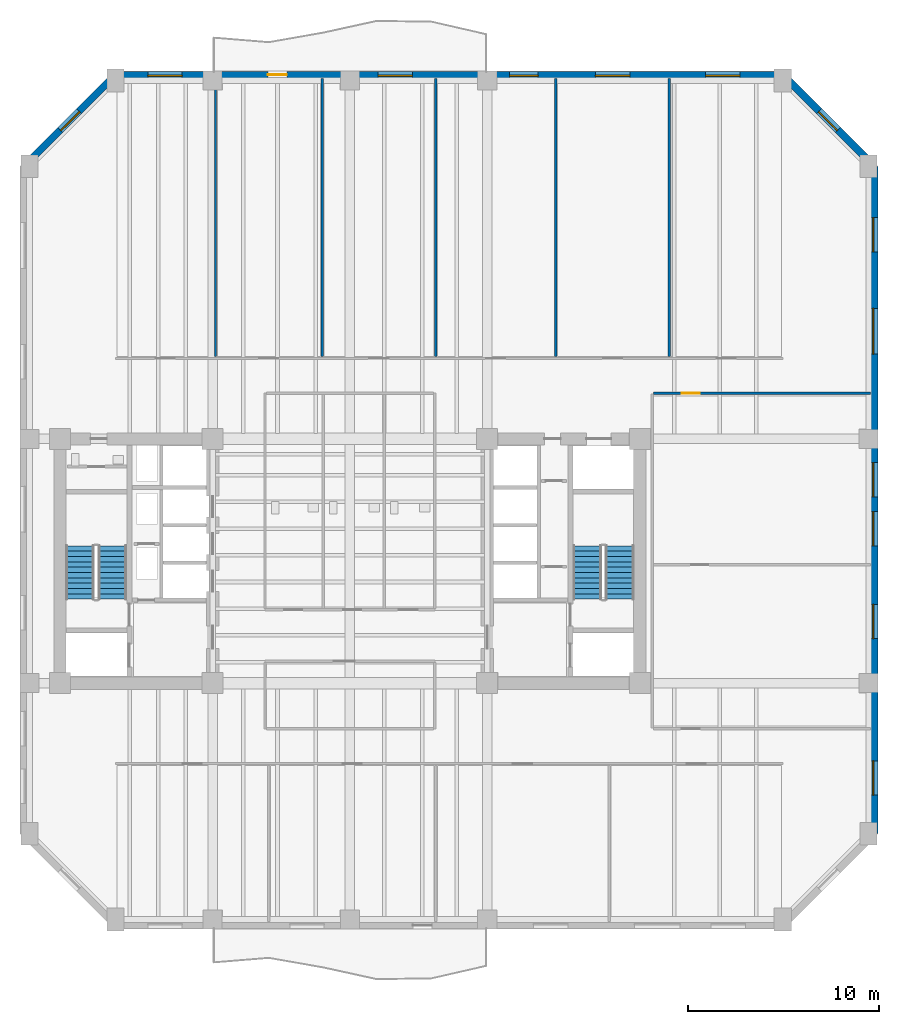
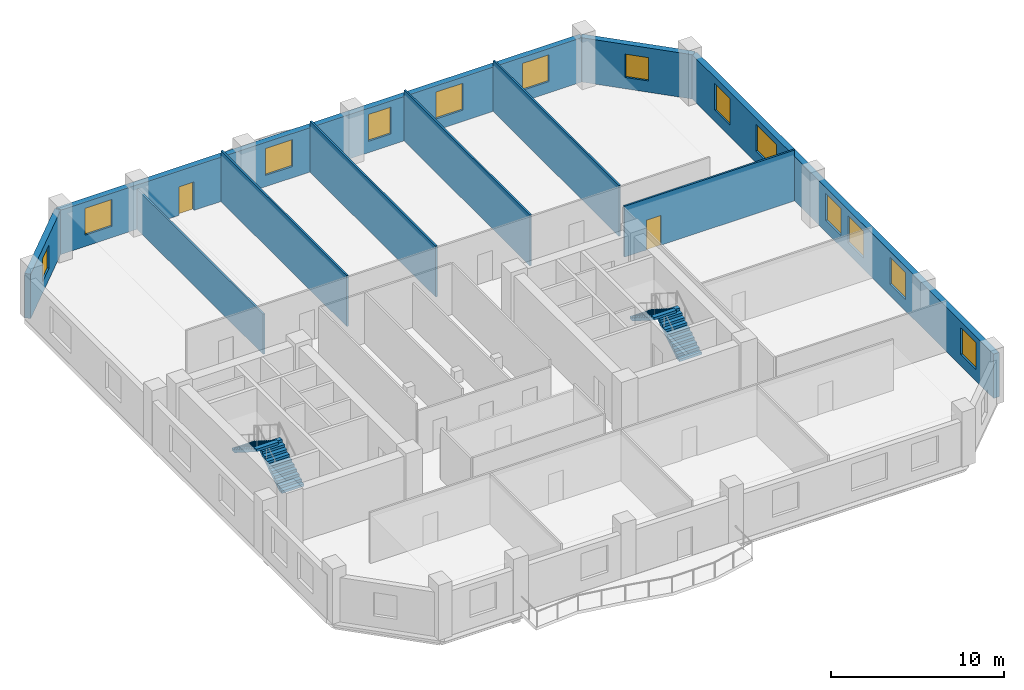
# One storey, part 5 of 8: 13 windows, 10 walls, 4 stair flights, 2 doors, 15 openings, 2 elements without a shape of their own.
"""IFC4 building model written with IfcOpenShell, lengths in metres."""

from ifc_helpers import new_model, si_unit, direction, frame, frame_2d, origin, place, context, subcontext, project, spatial, polyline, rectangle, outline, extrude, material, layer, layer_set, type_object, element, fill, aggregate, save


model = new_model("IFC4")

# Units and contexts
model_context = context("Model", 3, precision=1e-05, world=origin(), true_north=direction((0.0, 1.0)))
body_context = subcontext(model_context, "Body", "Model", "MODEL_VIEW")
ifc_project = project(units=[si_unit("LENGTHUNIT", "METRE"), si_unit("AREAUNIT", "SQUARE_METRE"), si_unit("VOLUMEUNIT", "CUBIC_METRE"), si_unit("PLANEANGLEUNIT", "RADIAN"), si_unit("MASSUNIT", "GRAM", prefix="KILO")], contexts=[model_context])

# Site, building, storey
site_placement = place(None, origin())
site = spatial("IfcSite", under=ifc_project, at=site_placement, CompositionType="ELEMENT")
building_placement = place(site_placement, origin())
building = spatial("IfcBuilding", under=site, at=building_placement, Name="Kranthara Brick Stack", CompositionType="ELEMENT")
storey_placement = place(building_placement, frame((0.0, 0.0, 82.800048828125)))
storey = spatial("IfcBuildingStorey", under=building, at=storey_placement, Name="L20", CompositionType="ELEMENT", Elevation=82.800048828125)

# Wall, opening, window
ifc_material_1 = material(Name="Kiln-fired clay brick masonry M15", Category="masonry")
ifc_layer_1 = layer(ifc_material_1, 0.3798828125)
ifc_layer_set_1 = layer_set([ifc_layer_1], Name="Kiln-fired clay brick masonry M15")
wall_type_1 = type_object("IfcWallType", Name="WL-BRK-PIER-380", PredefinedType="STANDARD", material=ifc_layer_set_1)
wall_1_placement = place(storey_placement, frame((10.909912109375, 47.89990234375, 0.0), z_axis=(0.0, 0.0, 1.0), x_axis=(0.707106781187, 0.707106781187, 0.0)))
wall_1 = element("IfcWall", 1, at=wall_1_placement, inside=storey, type_object=wall_type_1, Name="L20 Exterior Brick Facade Wall NW 1", PredefinedType="STANDARD", context=body_context, shape_type="SweptSolid", body=[
    extrude(rectangle(XDim=6.774169921875, YDim=0.3798828125, at=frame_2d((3.38720703125, 0.0))), origin(), (0.0, 0.0, 1.0), 3.135009765625),
])
opening_1_placement = place(wall_1_placement, frame((2.68701171875, 0.0, 0.800048828125)))
opening_1 = element("IfcOpeningElement", 2, at=opening_1_placement, cuts=wall_1, Name="Opening WN10", PredefinedType="OPENING", context=body_context, shape_type="SweptSolid", body=[
    extrude(rectangle(XDim=1.39990234375, YDim=1.64990234375, at=frame_2d((0.699951171875, 0.824951171875))), frame((0.0, 0.199951171875, 0.0), z_axis=(0.0, -1.0, 0.0), x_axis=(1.0, 0.0, 0.0)), (0.0, 0.0, 1.0), 0.39990234375),
])
ifc_material_2 = material(Name="Double-glazed low-E solar control glass", Category="glass")
window_type_1 = type_object("IfcWindowType", Name="WN-CHM-1400x1750", PartitioningType="SINGLE_PANEL", PredefinedType="WINDOW", material=ifc_material_2)
window_1_placement = place(opening_1_placement, origin())
window_1 = element("IfcWindow", 3, at=window_1_placement, inside=storey, type_object=window_type_1, Name="L20 NW Chamfer Corner Window", OverallHeight=1.64990234375, OverallWidth=1.39990234375, PartitioningType="SINGLE_PANEL", PredefinedType="WINDOW", context=body_context, shape_type="SweptSolid", body=[
    extrude(rectangle(XDim=1.39990234375, YDim=1.64990234375, at=frame_2d((0.699951171875, 0.824951171875))), frame((0.0, -0.010009765625, 0.0), z_axis=(0.0, -1.0, 0.0), x_axis=(1.0, 0.0, 0.0)), (0.0, 0.0, 1.0), 0.06005859375),
])
fill(opening_1, window_1)

# Wall, openings, door, windows
wall_2_placement = place(storey_placement, frame((15.699951171875, 52.68994140625, 0.0), z_axis=(0.0, 0.0, 1.0), x_axis=(1.0, 0.0, 0.0)))
wall_2 = element("IfcWall", 4, at=wall_2_placement, inside=storey, type_object=wall_type_1, Name="L20 Exterior Brick Facade Wall NORTH 1", PredefinedType="STANDARD", context=body_context, shape_type="SweptSolid", body=[
    extrude(rectangle(XDim=35.0, YDim=0.3798828125, at=frame_2d((17.5, 0.0))), origin(), (0.0, 0.0, 1.0), 3.135009765625),
])
opening_2_placement = place(wall_2_placement, frame((8.0, 0.0, 0.0)))
opening_2 = element("IfcOpeningElement", 5, at=opening_2_placement, cuts=wall_2, Name="Opening D03", PredefinedType="OPENING", context=body_context, shape_type="SweptSolid", body=[
    extrude(rectangle(XDim=1.0, YDim=2.02001953125, at=frame_2d((0.5, 1.010009765625))), frame((0.0, 0.199951171875, 0.0), z_axis=(0.0, -1.0, 0.0), x_axis=(1.0, 0.0, 0.0)), (0.0, 0.0, 1.0), 0.39990234375),
])
opening_3_placement = place(wall_2_placement, frame((1.699951171875, 0.0, 0.800048828125)))
opening_3 = element("IfcOpeningElement", 6, at=opening_3_placement, cuts=wall_2, Name="Opening WN01", PredefinedType="OPENING", context=body_context, shape_type="SweptSolid", body=[
    extrude(rectangle(XDim=1.800048828125, YDim=1.89990234375, at=frame_2d((0.89990234375, 0.949951171875))), frame((0.0, 0.199951171875, 0.0), z_axis=(0.0, -1.0, 0.0), x_axis=(1.0, 0.0, 0.0)), (0.0, 0.0, 1.0), 0.39990234375),
])
opening_4_placement = place(wall_2_placement, frame((13.77490234375, 0.0, 0.800048828125)))
opening_4 = element("IfcOpeningElement", 7, at=opening_4_placement, cuts=wall_2, Name="Opening WN01", PredefinedType="OPENING", context=body_context, shape_type="SweptSolid", body=[
    extrude(rectangle(XDim=1.800048828125, YDim=1.89990234375, at=frame_2d((0.89990234375, 0.949951171875))), frame((0.0, 0.199951171875, 0.0), z_axis=(0.0, -1.0, 0.0), x_axis=(1.0, 0.0, 0.0)), (0.0, 0.0, 1.0), 0.39990234375),
])
opening_5_placement = place(wall_2_placement, frame((20.675048828125, 0.0, 0.800048828125)))
opening_5 = element("IfcOpeningElement", 8, at=opening_5_placement, cuts=wall_2, Name="Opening WN03", PredefinedType="OPENING", context=body_context, shape_type="SweptSolid", body=[
    extrude(rectangle(XDim=1.5, YDim=1.89990234375, at=frame_2d((0.75, 0.949951171875))), frame((0.0, 0.199951171875, 0.0), z_axis=(0.0, -1.0, 0.0), x_axis=(1.0, 0.0, 0.0)), (0.0, 0.0, 1.0), 0.39990234375),
])
opening_6_placement = place(wall_2_placement, frame((25.175048828125, 0.0, 0.800048828125)))
opening_6 = element("IfcOpeningElement", 9, at=opening_6_placement, cuts=wall_2, Name="Opening WN01", PredefinedType="OPENING", context=body_context, shape_type="SweptSolid", body=[
    extrude(rectangle(XDim=1.800048828125, YDim=1.89990234375, at=frame_2d((0.89990234375, 0.949951171875))), frame((0.0, 0.199951171875, 0.0), z_axis=(0.0, -1.0, 0.0), x_axis=(1.0, 0.0, 0.0)), (0.0, 0.0, 1.0), 0.39990234375),
])
opening_7_placement = place(wall_2_placement, frame((30.949951171875, 0.0, 0.800048828125)))
opening_7 = element("IfcOpeningElement", 10, at=opening_7_placement, cuts=wall_2, Name="Opening WN01", PredefinedType="OPENING", context=body_context, shape_type="SweptSolid", body=[
    extrude(rectangle(XDim=1.800048828125, YDim=1.89990234375, at=frame_2d((0.89990234375, 0.949951171875))), frame((0.0, 0.199951171875, 0.0), z_axis=(0.0, -1.0, 0.0), x_axis=(1.0, 0.0, 0.0)), (0.0, 0.0, 1.0), 0.39990234375),
])
ifc_material_3 = material(Name="Bronze anodised aluminium and laminated glass", Category="aluminium")
door_type_1 = type_object("IfcDoorType", Name="DR-BALC-1000", OperationType="NOTDEFINED", PredefinedType="DOOR", material=ifc_material_3)
door_1_placement = place(opening_2_placement, origin())
door_1 = element("IfcDoor", 11, at=door_1_placement, inside=storey, type_object=door_type_1, Name="L20 North Balcony Terrace Door", OperationType="SINGLE_SWING_RIGHT", OverallHeight=2.02001953125, OverallWidth=1.0, PredefinedType="DOOR", context=body_context, shape_type="SweptSolid", body=[
    extrude(rectangle(XDim=1.0, YDim=2.02001953125, at=frame_2d((0.5, 1.010009765625))), frame((0.0, 0.02490234375, 0.0), z_axis=(0.0, -1.0, 0.0), x_axis=(1.0, 0.0, 0.0)), (0.0, 0.0, 1.0), 0.050048828125),
])
fill(opening_2, door_1)
ifc_material_4 = material(Name="Double-glazed low-E solar control glass", Category="glass")
window_type_2 = type_object("IfcWindowType", Name="WN-OFF-1500x2000", PartitioningType="SINGLE_PANEL", PredefinedType="WINDOW", material=ifc_material_4)
window_2_placement = place(opening_5_placement, origin())
window_2 = element("IfcWindow", 12, at=window_2_placement, inside=storey, type_object=window_type_2, Name="L20 North Deep-Set Brick Window 03", OverallHeight=1.89990234375, OverallWidth=1.5, PartitioningType="SINGLE_PANEL", PredefinedType="WINDOW", context=body_context, shape_type="SweptSolid", body=[
    extrude(rectangle(XDim=1.5, YDim=1.89990234375, at=frame_2d((0.75, 0.949951171875))), frame((0.0, -0.010009765625, 0.0), z_axis=(0.0, -1.0, 0.0), x_axis=(1.0, 0.0, 0.0)), (0.0, 0.0, 1.0), 0.06005859375),
])
fill(opening_5, window_2)
ifc_material_5 = material(Name="Double-glazed low-E solar control glass", Category="glass")
window_type_3 = type_object("IfcWindowType", Name="WN-OFF-1800x2000", PartitioningType="SINGLE_PANEL", PredefinedType="WINDOW", material=ifc_material_5)
window_3_placement = place(opening_3_placement, origin())
window_3 = element("IfcWindow", 13, at=window_3_placement, inside=storey, type_object=window_type_3, Name="L20 North Deep-Set Brick Window 01", OverallHeight=1.89990234375, OverallWidth=1.800048828125, PartitioningType="SINGLE_PANEL", PredefinedType="WINDOW", context=body_context, shape_type="SweptSolid", body=[
    extrude(rectangle(XDim=1.800048828125, YDim=1.89990234375, at=frame_2d((0.89990234375, 0.949951171875))), frame((0.0, -0.010009765625, 0.0), z_axis=(0.0, -1.0, 0.0), x_axis=(1.0, 0.0, 0.0)), (0.0, 0.0, 1.0), 0.06005859375),
])
fill(opening_3, window_3)
window_4_placement = place(opening_4_placement, origin())
window_4 = element("IfcWindow", 14, at=window_4_placement, inside=storey, type_object=window_type_3, Name="L20 North Deep-Set Brick Window 02", OverallHeight=1.89990234375, OverallWidth=1.800048828125, PartitioningType="SINGLE_PANEL", PredefinedType="WINDOW", context=body_context, shape_type="SweptSolid", body=[
    extrude(rectangle(XDim=1.800048828125, YDim=1.89990234375, at=frame_2d((0.89990234375, 0.949951171875))), frame((0.0, -0.010009765625, 0.0), z_axis=(0.0, -1.0, 0.0), x_axis=(1.0, 0.0, 0.0)), (0.0, 0.0, 1.0), 0.06005859375),
])
fill(opening_4, window_4)
window_5_placement = place(opening_6_placement, origin())
window_5 = element("IfcWindow", 15, at=window_5_placement, inside=storey, type_object=window_type_3, Name="L20 North Deep-Set Brick Window 04", OverallHeight=1.89990234375, OverallWidth=1.800048828125, PartitioningType="SINGLE_PANEL", PredefinedType="WINDOW", context=body_context, shape_type="SweptSolid", body=[
    extrude(rectangle(XDim=1.800048828125, YDim=1.89990234375, at=frame_2d((0.89990234375, 0.949951171875))), frame((0.0, -0.010009765625, 0.0), z_axis=(0.0, -1.0, 0.0), x_axis=(1.0, 0.0, 0.0)), (0.0, 0.0, 1.0), 0.06005859375),
])
fill(opening_6, window_5)
window_6_placement = place(opening_7_placement, origin())
window_6 = element("IfcWindow", 16, at=window_6_placement, inside=storey, type_object=window_type_3, Name="L20 North Deep-Set Brick Window 05", OverallHeight=1.89990234375, OverallWidth=1.800048828125, PartitioningType="SINGLE_PANEL", PredefinedType="WINDOW", context=body_context, shape_type="SweptSolid", body=[
    extrude(rectangle(XDim=1.800048828125, YDim=1.89990234375, at=frame_2d((0.89990234375, 0.949951171875))), frame((0.0, -0.010009765625, 0.0), z_axis=(0.0, -1.0, 0.0), x_axis=(1.0, 0.0, 0.0)), (0.0, 0.0, 1.0), 0.06005859375),
])
fill(opening_7, window_6)

# Wall, opening, window
wall_3_placement = place(storey_placement, frame((50.699951171875, 52.68994140625, 0.0), z_axis=(0.0, 0.0, 1.0), x_axis=(0.707106781187, -0.707106781187, 0.0)))
wall_3 = element("IfcWall", 17, at=wall_3_placement, inside=storey, type_object=wall_type_1, Name="L20 Exterior Brick Facade Wall NE 1", PredefinedType="STANDARD", context=body_context, shape_type="SweptSolid", body=[
    extrude(rectangle(XDim=6.774169921875, YDim=0.3798828125, at=frame_2d((3.38720703125, 0.0))), origin(), (0.0, 0.0, 1.0), 3.135009765625),
])
opening_8_placement = place(wall_3_placement, frame((2.68701171875, 0.0, 0.800048828125)))
opening_8 = element("IfcOpeningElement", 18, at=opening_8_placement, cuts=wall_3, Name="Opening WN10", PredefinedType="OPENING", context=body_context, shape_type="SweptSolid", body=[
    extrude(rectangle(XDim=1.39990234375, YDim=1.64990234375, at=frame_2d((0.699951171875, 0.824951171875))), frame((0.0, 0.199951171875, 0.0), z_axis=(0.0, -1.0, 0.0), x_axis=(1.0, 0.0, 0.0)), (0.0, 0.0, 1.0), 0.39990234375),
])
window_7_placement = place(opening_8_placement, origin())
window_7 = element("IfcWindow", 19, at=window_7_placement, inside=storey, type_object=window_type_1, Name="L20 NE Chamfer Corner Window", OverallHeight=1.64990234375, OverallWidth=1.39990234375, PartitioningType="SINGLE_PANEL", PredefinedType="WINDOW", context=body_context, shape_type="SweptSolid", body=[
    extrude(rectangle(XDim=1.39990234375, YDim=1.64990234375, at=frame_2d((0.699951171875, 0.824951171875))), frame((0.0, -0.010009765625, 0.0), z_axis=(0.0, -1.0, 0.0), x_axis=(1.0, 0.0, 0.0)), (0.0, 0.0, 1.0), 0.06005859375),
])
fill(opening_8, window_7)

# Wall, openings, windows
wall_4_placement = place(storey_placement, frame((55.489990234375, 47.89990234375, 0.0), z_axis=(0.0, 0.0, 1.0), x_axis=(0.0, -1.0, 0.0)))
wall_4 = element("IfcWall", 20, at=wall_4_placement, inside=storey, type_object=wall_type_1, Name="L20 Exterior Brick Facade Wall EAST 1", PredefinedType="STANDARD", context=body_context, shape_type="SweptSolid", body=[
    extrude(rectangle(XDim=35.0, YDim=0.3798828125, at=frame_2d((17.5, 0.0))), origin(), (0.0, 0.0, 1.0), 3.135009765625),
])
opening_9_placement = place(wall_4_placement, frame((2.693115234375, 0.0, 0.800048828125)))
opening_9 = element("IfcOpeningElement", 21, at=opening_9_placement, cuts=wall_4, Name="Opening WN01", PredefinedType="OPENING", context=body_context, shape_type="SweptSolid", body=[
    extrude(rectangle(XDim=1.800048828125, YDim=1.89990234375, at=frame_2d((0.89990234375, 0.949951171875))), frame((0.0, 0.199951171875, 0.0), z_axis=(0.0, -1.0, 0.0), x_axis=(1.0, 0.0, 0.0)), (0.0, 0.0, 1.0), 0.39990234375),
])
opening_10_placement = place(wall_4_placement, frame((7.45703125, 0.0, 0.800048828125)))
opening_10 = element("IfcOpeningElement", 22, at=opening_10_placement, cuts=wall_4, Name="Opening WN02", PredefinedType="OPENING", context=body_context, shape_type="SweptSolid", body=[
    extrude(rectangle(XDim=2.39990234375, YDim=1.89990234375, at=frame_2d((1.199951171875, 0.949951171875))), frame((0.0, 0.199951171875, 0.0), z_axis=(0.0, -1.0, 0.0), x_axis=(1.0, 0.0, 0.0)), (0.0, 0.0, 1.0), 0.39990234375),
])
opening_11_placement = place(wall_4_placement, frame((15.541015625, 0.0, 0.800048828125)))
opening_11 = element("IfcOpeningElement", 23, at=opening_11_placement, cuts=wall_4, Name="Opening WN01", PredefinedType="OPENING", context=body_context, shape_type="SweptSolid", body=[
    extrude(rectangle(XDim=1.800048828125, YDim=1.89990234375, at=frame_2d((0.89990234375, 0.949951171875))), frame((0.0, 0.199951171875, 0.0), z_axis=(0.0, -1.0, 0.0), x_axis=(1.0, 0.0, 0.0)), (0.0, 0.0, 1.0), 0.39990234375),
])
opening_12_placement = place(wall_4_placement, frame((18.10888671875, 0.0, 0.800048828125)))
opening_12 = element("IfcOpeningElement", 24, at=opening_12_placement, cuts=wall_4, Name="Opening WN01", PredefinedType="OPENING", context=body_context, shape_type="SweptSolid", body=[
    extrude(rectangle(XDim=1.800048828125, YDim=1.89990234375, at=frame_2d((0.89990234375, 0.949951171875))), frame((0.0, 0.199951171875, 0.0), z_axis=(0.0, -1.0, 0.0), x_axis=(1.0, 0.0, 0.0)), (0.0, 0.0, 1.0), 0.39990234375),
])
opening_13_placement = place(wall_4_placement, frame((22.97509765625, 0.0, 0.800048828125)))
opening_13 = element("IfcOpeningElement", 25, at=opening_13_placement, cuts=wall_4, Name="Opening WN01", PredefinedType="OPENING", context=body_context, shape_type="SweptSolid", body=[
    extrude(rectangle(XDim=1.800048828125, YDim=1.89990234375, at=frame_2d((0.89990234375, 0.949951171875))), frame((0.0, 0.199951171875, 0.0), z_axis=(0.0, -1.0, 0.0), x_axis=(1.0, 0.0, 0.0)), (0.0, 0.0, 1.0), 0.39990234375),
])
opening_14_placement = place(wall_4_placement, frame((31.175048828125, 0.0, 0.800048828125)))
opening_14 = element("IfcOpeningElement", 26, at=opening_14_placement, cuts=wall_4, Name="Opening WN01", PredefinedType="OPENING", context=body_context, shape_type="SweptSolid", body=[
    extrude(rectangle(XDim=1.800048828125, YDim=1.89990234375, at=frame_2d((0.89990234375, 0.949951171875))), frame((0.0, 0.199951171875, 0.0), z_axis=(0.0, -1.0, 0.0), x_axis=(1.0, 0.0, 0.0)), (0.0, 0.0, 1.0), 0.39990234375),
])
window_8_placement = place(opening_9_placement, origin())
window_8 = element("IfcWindow", 27, at=window_8_placement, inside=storey, type_object=window_type_3, Name="L20 East Deep-Set Brick Window 01", OverallHeight=1.89990234375, OverallWidth=1.800048828125, PartitioningType="SINGLE_PANEL", PredefinedType="WINDOW", context=body_context, shape_type="SweptSolid", body=[
    extrude(rectangle(XDim=1.800048828125, YDim=1.89990234375, at=frame_2d((0.89990234375, 0.949951171875))), frame((0.0, -0.010009765625, 0.0), z_axis=(0.0, -1.0, 0.0), x_axis=(1.0, 0.0, 0.0)), (0.0, 0.0, 1.0), 0.06005859375),
])
fill(opening_9, window_8)
window_9_placement = place(opening_11_placement, origin())
window_9 = element("IfcWindow", 28, at=window_9_placement, inside=storey, type_object=window_type_3, Name="L20 East Deep-Set Brick Window 03", OverallHeight=1.89990234375, OverallWidth=1.800048828125, PartitioningType="SINGLE_PANEL", PredefinedType="WINDOW", context=body_context, shape_type="SweptSolid", body=[
    extrude(rectangle(XDim=1.800048828125, YDim=1.89990234375, at=frame_2d((0.89990234375, 0.949951171875))), frame((0.0, -0.010009765625, 0.0), z_axis=(0.0, -1.0, 0.0), x_axis=(1.0, 0.0, 0.0)), (0.0, 0.0, 1.0), 0.06005859375),
])
fill(opening_11, window_9)
window_10_placement = place(opening_12_placement, origin())
window_10 = element("IfcWindow", 29, at=window_10_placement, inside=storey, type_object=window_type_3, Name="L20 East Deep-Set Brick Window 04", OverallHeight=1.89990234375, OverallWidth=1.800048828125, PartitioningType="SINGLE_PANEL", PredefinedType="WINDOW", context=body_context, shape_type="SweptSolid", body=[
    extrude(rectangle(XDim=1.800048828125, YDim=1.89990234375, at=frame_2d((0.89990234375, 0.949951171875))), frame((0.0, -0.010009765625, 0.0), z_axis=(0.0, -1.0, 0.0), x_axis=(1.0, 0.0, 0.0)), (0.0, 0.0, 1.0), 0.06005859375),
])
fill(opening_12, window_10)
window_11_placement = place(opening_13_placement, origin())
window_11 = element("IfcWindow", 30, at=window_11_placement, inside=storey, type_object=window_type_3, Name="L20 East Deep-Set Brick Window 05", OverallHeight=1.89990234375, OverallWidth=1.800048828125, PartitioningType="SINGLE_PANEL", PredefinedType="WINDOW", context=body_context, shape_type="SweptSolid", body=[
    extrude(rectangle(XDim=1.800048828125, YDim=1.89990234375, at=frame_2d((0.89990234375, 0.949951171875))), frame((0.0, -0.010009765625, 0.0), z_axis=(0.0, -1.0, 0.0), x_axis=(1.0, 0.0, 0.0)), (0.0, 0.0, 1.0), 0.06005859375),
])
fill(opening_13, window_11)
window_12_placement = place(opening_14_placement, origin())
window_12 = element("IfcWindow", 31, at=window_12_placement, inside=storey, type_object=window_type_3, Name="L20 East Deep-Set Brick Window 06", OverallHeight=1.89990234375, OverallWidth=1.800048828125, PartitioningType="SINGLE_PANEL", PredefinedType="WINDOW", context=body_context, shape_type="SweptSolid", body=[
    extrude(rectangle(XDim=1.800048828125, YDim=1.89990234375, at=frame_2d((0.89990234375, 0.949951171875))), frame((0.0, -0.010009765625, 0.0), z_axis=(0.0, -1.0, 0.0), x_axis=(1.0, 0.0, 0.0)), (0.0, 0.0, 1.0), 0.06005859375),
])
fill(opening_14, window_12)
ifc_material_6 = material(Name="Double-glazed low-E solar control glass", Category="glass")
window_type_4 = type_object("IfcWindowType", Name="WN-OFF-2400x2000", PartitioningType="DOUBLE_PANEL_VERTICAL", PredefinedType="WINDOW", material=ifc_material_6)
window_13_placement = place(opening_10_placement, origin())
window_13 = element("IfcWindow", 32, at=window_13_placement, inside=storey, type_object=window_type_4, Name="L20 East Deep-Set Brick Window 02", OverallHeight=1.89990234375, OverallWidth=2.39990234375, PartitioningType="SINGLE_PANEL", PredefinedType="WINDOW", context=body_context, shape_type="SweptSolid", body=[
    extrude(rectangle(XDim=2.39990234375, YDim=1.89990234375, at=frame_2d((1.199951171875, 0.949951171875))), frame((0.0, -0.010009765625, 0.0), z_axis=(0.0, -1.0, 0.0), x_axis=(1.0, 0.0, 0.0)), (0.0, 0.0, 1.0), 0.06005859375),
])
fill(opening_10, window_13)

# Walls
ifc_material_7 = material(Name="Acoustic gypsum plasterboard partition", Category="other")
ifc_layer_2 = layer(ifc_material_7, 0.1201171875)
ifc_layer_set_2 = layer_set([ifc_layer_2], Name="Acoustic gypsum plasterboard partition")
wall_type_2 = type_object("IfcWallType", Name="WL-PART-120", PredefinedType="PARTITIONING", material=ifc_layer_set_2)
wall_5_placement = place(storey_placement, frame((20.949951171875, 37.919921875, 0.0), z_axis=(0.0, 0.0, 1.0), x_axis=(0.0, 1.0, 0.0)))
element("IfcWall", 33, at=wall_5_placement, inside=storey, type_object=wall_type_2, Name="L20 Interior Partition 020", PredefinedType="PARTITIONING", context=body_context, shape_type="SweptSolid", body=[
    extrude(rectangle(XDim=14.5751953125, YDim=0.1201171875, at=frame_2d((7.28759765625, 0.0))), origin(), (0.0, 0.0, 1.0), 2.8349609375),
])
for number, where, z_axis, x_axis, name in (
    (34, (26.550048828125, 37.919921875, 0.0), (0.0, 0.0, 1.0), (0.0, 1.0, 0.0), "L20 Interior Partition 021"),
    (35, (32.5, 37.919921875, 0.0), (0.0, 0.0, 1.0), (0.0, 1.0, 0.0), "L20 Interior Partition 022"),
    (36, (38.800048828125, 37.919921875, 0.0), (0.0, 0.0, 1.0), (0.0, 1.0, 0.0), "L20 Interior Partition 023"),
    (37, (44.75, 37.919921875, 0.0), (0.0, 0.0, 1.0), (0.0, 1.0, 0.0), "L20 Interior Partition 024"),
):
    element("IfcWall", number, at=place(storey_placement, frame(where, z_axis=z_axis, x_axis=x_axis)), inside=storey, type_object=wall_type_2, Name=name, PredefinedType="PARTITIONING", context=body_context, shape_type="SweptSolid", body=[
        extrude(rectangle(XDim=14.5751953125, YDim=0.1201171875, at=frame_2d((7.28759765625, 0.0))), origin(), (0.0, 0.0, 1.0), 3.599853515625),
    ])

# Wall, opening, door
wall_6_placement = place(storey_placement, frame((43.9150390625, 36.0, 0.0), z_axis=(0.0, 0.0, 1.0), x_axis=(1.0, 0.0, 0.0)))
wall_6 = element("IfcWall", 38, at=wall_6_placement, inside=storey, type_object=wall_type_2, Name="L20 Interior Partition 027", PredefinedType="PARTITIONING", context=body_context, shape_type="SweptSolid", body=[
    extrude(rectangle(XDim=11.3798828125, YDim=0.1201171875, at=frame_2d((5.68994140625, 0.0))), origin(), (0.0, 0.0, 1.0), 3.599853515625),
])
opening_15_placement = place(wall_6_placement, frame((1.485107421875, 0.0, 0.0)))
opening_15 = element("IfcOpeningElement", 39, at=opening_15_placement, cuts=wall_6, Name="Opening D14", PredefinedType="OPENING", context=body_context, shape_type="SweptSolid", body=[
    extrude(rectangle(XDim=0.949951171875, YDim=2.10009765625, at=frame_2d((0.47509765625, 1.050048828125))), frame((0.0, 0.070068359375, 0.0), z_axis=(0.0, -1.0, 0.0), x_axis=(1.0, 0.0, 0.0)), (0.0, 0.0, 1.0), 0.14013671875),
])
ifc_material_8 = material(Name="Solid-core hardwood timber leaf in steel frame", Category="steel")
door_type_2 = type_object("IfcDoorType", Name="DR-INT-950", OperationType="NOTDEFINED", PredefinedType="DOOR", material=ifc_material_8)
door_2_placement = place(opening_15_placement, origin())
door_2 = element("IfcDoor", 40, at=door_2_placement, inside=storey, type_object=door_type_2, Name="L20 East North Office 21", OperationType="SINGLE_SWING_LEFT", OverallHeight=2.10009765625, OverallWidth=0.949951171875, PredefinedType="DOOR", context=body_context, shape_type="SweptSolid", body=[
    extrude(rectangle(XDim=0.949951171875, YDim=2.10009765625, at=frame_2d((0.47509765625, 1.050048828125))), frame((0.0, 0.02490234375, 0.0), z_axis=(0.0, -1.0, 0.0), x_axis=(1.0, 0.0, 0.0)), (0.0, 0.0, 1.0), 0.050048828125),
])
fill(opening_15, door_2)

# Stair, stair flights
ifc_material_9 = material(Name="Concrete C45/55", Category="concrete")
stair_type = type_object("IfcStairType", Name="ST-CORE-22R", PredefinedType="HALF_TURN_STAIR", material=ifc_material_9)
stair_1_placement = place(storey_placement, origin())
stair_1 = element("IfcStair", 41, at=stair_1_placement, inside=storey, type_object=stair_type, Name="L20 West Core Protected Exit Stair ST01", PredefinedType="HALF_TURN_STAIR")
ifc_material_10 = material(Name="Concrete C45/55", Category="concrete")
stair_flight_type = type_object("IfcStairFlightType", Name="SFL-RC-22R", PredefinedType="STRAIGHT", material=ifc_material_10)
stair_flight_1_placement = place(storey_placement, frame((15.550048828125, 25.199951171875, 0.0), z_axis=(0.0, 0.0, 1.0), x_axis=(0.0, 1.0, 0.0)))
stair_flight_1 = element("IfcStairFlight", 42, at=stair_flight_1_placement, type_object=stair_flight_type, Name="ST01 flight 1", NumberOfRisers=11, NumberOfTreads=10, PredefinedType="STRAIGHT", RiserHeight=0.177272727, TreadLength=0.28, context=body_context, shape_type="SweptSolid", body=[
    extrude(outline(polyline([(0.0, 0.0), (0.0, 0.17724609375), (0.280029296875, 0.17724609375), (0.280029296875, 0.3544921875), (0.56005859375, 0.3544921875), (0.56005859375, 0.53173828125), (0.840087890625, 0.53173828125), (0.840087890625, 0.708984375), (1.1201171875, 0.708984375), (1.1201171875, 0.886474609375), (1.39990234375, 0.886474609375), (1.39990234375, 1.063720703125), (1.679931640625, 1.063720703125), (1.679931640625, 1.240966796875), (1.9599609375, 1.240966796875), (1.9599609375, 1.418212890625), (2.239990234375, 1.418212890625), (2.239990234375, 1.595458984375), (2.52001953125, 1.595458984375), (2.52001953125, 1.772705078125), (2.800048828125, 1.772705078125), (2.800048828125, 1.949951171875), (2.800048828125, 1.59521484375), (0.2802734375, 0.0), (0.0, 0.0)])), frame((0.0, 0.75, 0.0), z_axis=(0.0, -1.0, 0.0), x_axis=(1.0, 0.0, 0.0)), (0.0, 0.0, 1.0), 1.5),
])
stair_flight_2_placement = place(storey_placement, frame((13.85009765625, 28.0, 1.949951171875), z_axis=(0.0, 0.0, 1.0), x_axis=(0.0, -1.0, 0.0)))
stair_flight_2 = element("IfcStairFlight", 43, at=stair_flight_2_placement, type_object=stair_flight_type, Name="ST01 flight 2", NumberOfRisers=11, NumberOfTreads=10, PredefinedType="STRAIGHT", RiserHeight=0.177272727, TreadLength=0.28, context=body_context, shape_type="SweptSolid", body=[
    extrude(outline(polyline([(0.0, 0.0), (0.0, 0.17724609375), (0.280029296875, 0.17724609375), (0.280029296875, 0.3544921875), (0.56005859375, 0.3544921875), (0.56005859375, 0.53173828125), (0.840087890625, 0.53173828125), (0.840087890625, 0.708984375), (1.1201171875, 0.708984375), (1.1201171875, 0.886474609375), (1.39990234375, 0.886474609375), (1.39990234375, 1.063720703125), (1.679931640625, 1.063720703125), (1.679931640625, 1.240966796875), (1.9599609375, 1.240966796875), (1.9599609375, 1.418212890625), (2.239990234375, 1.418212890625), (2.239990234375, 1.595458984375), (2.52001953125, 1.595458984375), (2.52001953125, 1.772705078125), (2.800048828125, 1.772705078125), (2.800048828125, 1.949951171875), (2.800048828125, 1.59521484375), (0.2802734375, 0.0), (0.0, 0.0)])), frame((0.0, 0.75, 0.0), z_axis=(0.0, -1.0, 0.0), x_axis=(1.0, 0.0, 0.0)), (0.0, 0.0, 1.0), 1.5),
])
aggregate(stair_1, [stair_flight_1, stair_flight_2])

stair_2_placement = place(storey_placement, origin())
stair_2 = element("IfcStair", 44, at=stair_2_placement, inside=storey, type_object=stair_type, Name="L20 East Core Protected Exit Stair ST02", PredefinedType="HALF_TURN_STAIR")
stair_flight_3_placement = place(storey_placement, frame((42.14990234375, 25.199951171875, 0.0), z_axis=(0.0, 0.0, 1.0), x_axis=(0.0, 1.0, 0.0)))
stair_flight_3 = element("IfcStairFlight", 45, at=stair_flight_3_placement, type_object=stair_flight_type, Name="ST02 flight 1", NumberOfRisers=11, NumberOfTreads=10, PredefinedType="STRAIGHT", RiserHeight=0.177272727, TreadLength=0.28, context=body_context, shape_type="SweptSolid", body=[
    extrude(outline(polyline([(0.0, 0.0), (0.0, 0.17724609375), (0.280029296875, 0.17724609375), (0.280029296875, 0.3544921875), (0.56005859375, 0.3544921875), (0.56005859375, 0.53173828125), (0.840087890625, 0.53173828125), (0.840087890625, 0.708984375), (1.1201171875, 0.708984375), (1.1201171875, 0.886474609375), (1.39990234375, 0.886474609375), (1.39990234375, 1.063720703125), (1.679931640625, 1.063720703125), (1.679931640625, 1.240966796875), (1.9599609375, 1.240966796875), (1.9599609375, 1.418212890625), (2.239990234375, 1.418212890625), (2.239990234375, 1.595458984375), (2.52001953125, 1.595458984375), (2.52001953125, 1.772705078125), (2.800048828125, 1.772705078125), (2.800048828125, 1.949951171875), (2.800048828125, 1.59521484375), (0.2802734375, 0.0), (0.0, 0.0)])), frame((0.0, 0.75, 0.0), z_axis=(0.0, -1.0, 0.0), x_axis=(1.0, 0.0, 0.0)), (0.0, 0.0, 1.0), 1.5),
])
stair_flight_4_placement = place(storey_placement, frame((40.449951171875, 28.0, 1.949951171875), z_axis=(0.0, 0.0, 1.0), x_axis=(0.0, -1.0, 0.0)))
stair_flight_4 = element("IfcStairFlight", 46, at=stair_flight_4_placement, type_object=stair_flight_type, Name="ST02 flight 2", NumberOfRisers=11, NumberOfTreads=10, PredefinedType="STRAIGHT", RiserHeight=0.177272727, TreadLength=0.28, context=body_context, shape_type="SweptSolid", body=[
    extrude(outline(polyline([(0.0, 0.0), (0.0, 0.17724609375), (0.280029296875, 0.17724609375), (0.280029296875, 0.3544921875), (0.56005859375, 0.3544921875), (0.56005859375, 0.53173828125), (0.840087890625, 0.53173828125), (0.840087890625, 0.708984375), (1.1201171875, 0.708984375), (1.1201171875, 0.886474609375), (1.39990234375, 0.886474609375), (1.39990234375, 1.063720703125), (1.679931640625, 1.063720703125), (1.679931640625, 1.240966796875), (1.9599609375, 1.240966796875), (1.9599609375, 1.418212890625), (2.239990234375, 1.418212890625), (2.239990234375, 1.595458984375), (2.52001953125, 1.595458984375), (2.52001953125, 1.772705078125), (2.800048828125, 1.772705078125), (2.800048828125, 1.949951171875), (2.800048828125, 1.59521484375), (0.2802734375, 0.0), (0.0, 0.0)])), frame((0.0, 0.75, 0.0), z_axis=(0.0, -1.0, 0.0), x_axis=(1.0, 0.0, 0.0)), (0.0, 0.0, 1.0), 1.5),
])
aggregate(stair_2, [stair_flight_3, stair_flight_4])

save(model, "model.ifc")
